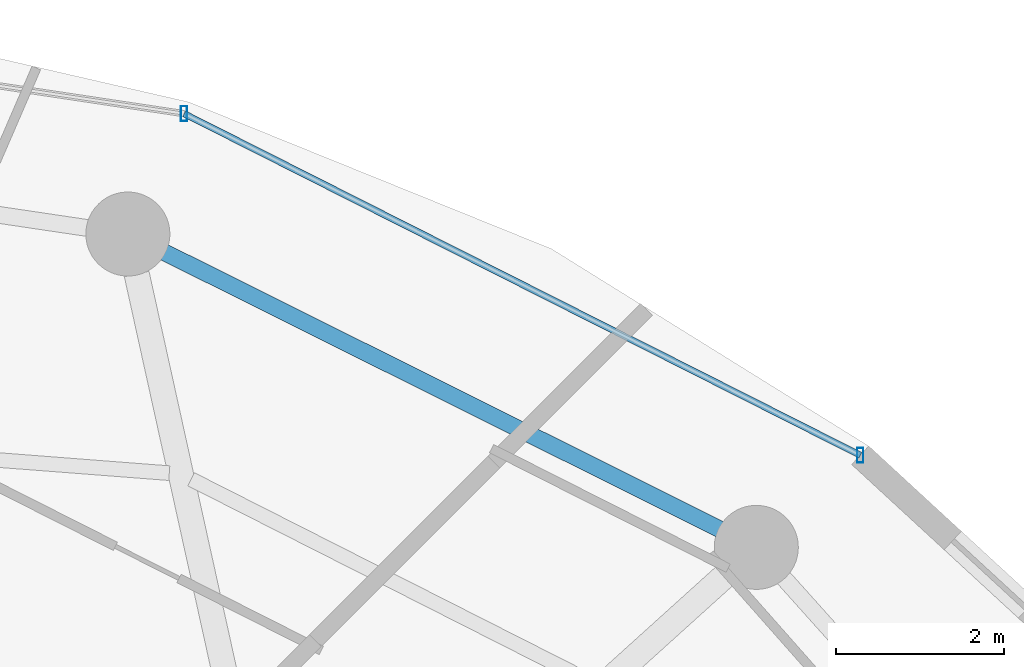
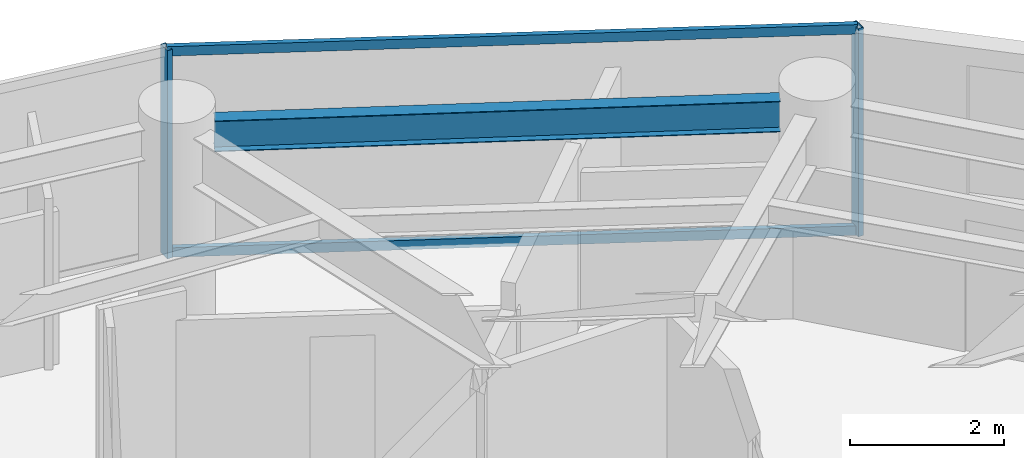
# One storey, part 20 of 31: 4 members, 1 beam, 1 element without a shape of its own.
"""IFC4 building model written with IfcOpenShell, lengths in metres."""

import ifcopenshell
import ifcopenshell.guid

model = None  # the IFC model being written
_history = None  # IfcOwnerHistory: only IFC2X3 demands one
_inside = {}  # id of a spatial element -> (the spatial element, [elements in it])
_under = {}  # id of a project, library or spatial element -> (it, [spatial elements below it])
_declared = {}  # id of a project -> (the project, [libraries it declares])
_typed = {}  # id of a type object -> (the type object, [elements of that type])
_made_of = {}  # id of a material, layer set ... -> (it, [elements and type objects made of it])


def new_model(schema):
    """Start an empty IFC model of exactly this schema.

    Asked for "IFC4X3", IfcOpenShell would pick the latest addendum, in which some entities
    have other attributes; the version numbers below select the first issue.
    IFC2X3 requires an IfcOwnerHistory on every rooted entity: one is made here for all.
    """
    global model, _history
    if schema == "IFC4X3":
        model = ifcopenshell.file(schema_version=(4, 3, 0, 0))
    else:
        model = ifcopenshell.file(schema=schema)
    _inside.clear()
    _under.clear()
    _declared.clear()
    _typed.clear()
    _made_of.clear()
    _history = None
    if model.schema == "IFC2X3":
        org = make("IfcOrganization", Name="unknown")
        user = make(
            "IfcPersonAndOrganization",
            ThePerson=make("IfcPerson", FamilyName="unknown"),
            TheOrganization=org,
        )
        app = make(
            "IfcApplication",
            ApplicationDeveloper=org,
            Version="unknown",
            ApplicationFullName="unknown",
            ApplicationIdentifier="unknown",
        )
        _history = make(
            "IfcOwnerHistory",
            OwningUser=user,
            OwningApplication=app,
            ChangeAction="ADDED",
            CreationDate=0,
        )
    return model


def make(cls, **values):
    """One entity of the class cls with the attributes given. An attribute that is None is left unset."""
    return model.create_entity(
        cls, **{name: value for name, value in values.items() if value is not None}
    )


def rooted(cls, **values):
    """An entity with a GlobalId (a new one), such as an element, a storey or a relation."""
    return make(cls, GlobalId=ifcopenshell.guid.new(), OwnerHistory=_history, **values)


def si_unit(unit_type, name, prefix=None):
    """IfcSIUnit, for example si_unit("LENGTHUNIT", "METRE", prefix="MILLI")."""
    return make("IfcSIUnit", UnitType=unit_type, Prefix=prefix, Name=name)


def assignment(units):
    """IfcUnitAssignment: the units of a project."""
    return None if units is None else make("IfcUnitAssignment", Units=units)


def point(xyz):
    """IfcCartesianPoint."""
    return None if xyz is None else make("IfcCartesianPoint", Coordinates=xyz)


def direction(xyz):
    """IfcDirection."""
    return None if xyz is None else make("IfcDirection", DirectionRatios=xyz)


def frame(location, z_axis=None, x_axis=None):
    """IfcAxis2Placement3D, a coordinate frame: its origin and axes. An axis left out is left unset."""
    return make(
        "IfcAxis2Placement3D",
        Location=point(location),
        Axis=direction(z_axis),
        RefDirection=direction(x_axis),
    )


def frame_2d(location, x_axis=None):
    """IfcAxis2Placement2D, a coordinate frame in the plane: its origin and x axis."""
    return make(
        "IfcAxis2Placement2D", Location=point(location), RefDirection=direction(x_axis)
    )


def origin():
    """The frame at (0, 0, 0) with its axes left unset."""
    return frame((0.0, 0.0, 0.0))


def origin_2d():
    """The frame at (0, 0) in the plane with its x axis left unset."""
    return frame_2d((0.0, 0.0))


def place(relative_to, where):
    """IfcLocalPlacement: puts the frame where relative to a parent placement (None: the world)."""
    return make(
        "IfcLocalPlacement", PlacementRelTo=relative_to, RelativePlacement=where
    )


def context(
    kind, dimensions, precision=None, world=None, true_north=None, identifier=None
):
    """IfcGeometricRepresentationContext, for example the 3D "Model" context."""
    return make(
        "IfcGeometricRepresentationContext",
        ContextIdentifier=identifier,
        ContextType=kind,
        CoordinateSpaceDimension=dimensions,
        Precision=precision,
        WorldCoordinateSystem=world,
        TrueNorth=true_north,
    )


def subcontext(parent, identifier, kind, view, scale=None):
    """IfcGeometricRepresentationSubContext, for example "Body" below "Model"."""
    return make(
        "IfcGeometricRepresentationSubContext",
        ContextIdentifier=identifier,
        ContextType=kind,
        ParentContext=parent,
        TargetScale=scale,
        TargetView=view,
    )


def project(units=None, contexts=None):
    """IfcProject with its units and contexts."""
    return rooted(
        "IfcProject",
        Name="project",
        RepresentationContexts=contexts,
        UnitsInContext=assignment(units),
    )


def spatial(cls, under=None, at=None, **own):
    """A site, building, storey or space (cls), placed at a placement, below another one or the project."""
    s = rooted(cls, ObjectPlacement=at, **own)
    if under is not None:
        _under.setdefault(under.id(), (under, []))[1].append(s)
    return s


def profile(cls, at=None, kind="AREA", **sizes):
    """A parametric profile (cls). Its sizes go by their IFC names, for example OverallWidth=200.0."""
    return make(cls, ProfileType=kind, Position=at, **sizes)


def hollow_rectangle(**sizes):
    """IfcRectangleHollowProfileDef."""
    return profile("IfcRectangleHollowProfileDef", **sizes)


def i_section(**sizes):
    """IfcIShapeProfileDef."""
    return profile("IfcIShapeProfileDef", **sizes)


def extrude(swept, where, along, depth):
    """IfcExtrudedAreaSolid: the profile swept, set in the frame where, extruded along a direction by depth."""
    return make(
        "IfcExtrudedAreaSolid",
        SweptArea=swept,
        Position=where,
        ExtrudedDirection=direction(along),
        Depth=depth,
    )


def shape(context_of_items, identifier, shape_type, items):
    """IfcShapeRepresentation: the items that make up one representation, for example the "Body"."""
    return make(
        "IfcShapeRepresentation",
        ContextOfItems=context_of_items,
        RepresentationIdentifier=identifier,
        RepresentationType=shape_type,
        Items=items,
    )


def material(Name=None, Category=None):
    """IfcMaterial."""
    return make("IfcMaterial", Name=Name, Category=Category)


def material_profile(
    of_material, cross_section, Name=None, Category=None, Priority=None
):
    """IfcMaterialProfile: a cross section and its material."""
    return make(
        "IfcMaterialProfile",
        Name=Name,
        Material=of_material,
        Profile=cross_section,
        Priority=Priority,
        Category=Category,
    )


def profile_set(profiles, Name=None, composite=None):
    """IfcMaterialProfileSet."""
    return make(
        "IfcMaterialProfileSet",
        Name=Name,
        MaterialProfiles=profiles,
        CompositeProfile=composite,
    )


def made_of(thing, what):
    """Note that an element or type object is made of a material, layer set ...; save() writes the relation."""
    if what is not None:
        _made_of.setdefault(what.id(), (what, []))[1].append(thing)
    return thing


def type_object(cls, material=None, **own):
    """A type object (cls), such as IfcWallType, which elements share."""
    return made_of(rooted(cls, **own), material)


def element(
    cls,
    number,
    at=None,
    inside=None,
    cuts=None,
    type_object=None,
    material=None,
    context=None,
    identifier="Body",
    shape_type=None,
    held_by="IfcProductDefinitionShape",
    body=None,
    shapes=None,
    **own,
):
    """One element of the class cls, such as IfcWall. Its Tag is "e" and its number.

    at: its placement. inside: the storey or other place that contains it. cuts: it is an
    opening in that element (IfcRelVoidsElement). A single representation is given by context,
    identifier, shape_type and body (its items); several are given by shapes. held_by: the class
    of the entity that holds the representations. save() writes the other relations.
    """
    e = rooted(cls, Tag="e%d" % number, ObjectPlacement=at, **own)
    if body is not None:
        shapes = [shape(context, identifier, shape_type, body)]
    if shapes is not None:
        e.Representation = make(held_by, Representations=shapes)
    if inside is not None:
        _inside.setdefault(inside.id(), (inside, []))[1].append(e)
    if cuts is not None:
        rooted(
            "IfcRelVoidsElement", RelatingBuildingElement=cuts, RelatedOpeningElement=e
        )
    if type_object is not None:
        _typed.setdefault(type_object.id(), (type_object, []))[1].append(e)
    return made_of(e, material)


def aggregate(whole, parts):
    """IfcRelAggregates: a whole, such as a stair, and the parts it consists of."""
    return rooted("IfcRelAggregates", RelatingObject=whole, RelatedObjects=parts)


def save(model, path):
    """Write the relations noted so far, then the file.

    IfcRelAggregates (storeys below a building ...), IfcRelContainedInSpatialStructure (elements
    in a storey), IfcRelDefinesByType, IfcRelAssociatesMaterial and IfcRelDeclares: one each for
    every whole, place, type object, material and project.
    """
    for whole, parts in _under.values():
        aggregate(whole, parts)
    for where, things in _inside.values():
        rooted(
            "IfcRelContainedInSpatialStructure",
            RelatedElements=things,
            RelatingStructure=where,
        )
    for kind, things in _typed.values():
        rooted("IfcRelDefinesByType", RelatedObjects=things, RelatingType=kind)
    for what, things in _made_of.values():
        rooted("IfcRelAssociatesMaterial", RelatedObjects=things, RelatingMaterial=what)
    for by, libraries in _declared.values():
        rooted("IfcRelDeclares", RelatingContext=by, RelatedDefinitions=libraries)
    model.write(path)


model = new_model("IFC4")

# Units and contexts
model_context = context("Model", 3, precision=1e-05, world=origin(), true_north=direction((0.0, 1.0)))
body_context = subcontext(model_context, "Body", "Model", "MODEL_VIEW")
ifc_project = project(units=[si_unit("LENGTHUNIT", "METRE"), si_unit("AREAUNIT", "SQUARE_METRE"), si_unit("VOLUMEUNIT", "CUBIC_METRE"), si_unit("PLANEANGLEUNIT", "RADIAN"), si_unit("MASSUNIT", "GRAM", prefix="KILO")], contexts=[model_context])

# Site, building, storey
site_placement = place(None, origin())
site = spatial("IfcSite", under=ifc_project, at=site_placement, CompositionType="ELEMENT")
building_placement = place(site_placement, origin())
building = spatial("IfcBuilding", under=site, at=building_placement, Name="Vorneva Point Tower", CompositionType="ELEMENT")
storey_placement = place(building_placement, frame((0.0, 0.0, 136.10009765625)))
storey = spatial("IfcBuildingStorey", under=building, at=storey_placement, Name="L36", CompositionType="ELEMENT", Elevation=136.10009765625)

# Beam
ifc_material_1 = material(Name="Steel S355", Category="steel")
ifc_material_profile_1 = material_profile(ifc_material_1, i_section(OverallWidth=0.199951171875, OverallDepth=0.491943359375, WebThickness=0.0087890625, FlangeThickness=0.011962890625, at=origin_2d()), Name="50B1")
ifc_profile_set_1 = profile_set([ifc_material_profile_1], Name="Steel S355")
beam_type = type_object("IfcBeamType", Name="BM-SPN-50B1", PredefinedType="SPANDREL", material=ifc_profile_set_1)
beam_placement = place(storey_placement, frame((53.86474609375, 38.378662109375, 2.993896484375), z_axis=(-0.894929061397, 0.446208443518, 0.0), x_axis=(-0.446208443518, -0.894929061397, 0.0)))
element("IfcBeam", 1, at=beam_placement, inside=storey, type_object=beam_type, Name="L36 Perimeter Spandrel Ring Beam 03", PredefinedType="SPANDREL", context=body_context, shape_type="SweptSolid", body=[
    extrude(i_section(OverallWidth=0.199951171875, OverallDepth=0.491943359375, WebThickness=0.0087890625, FlangeThickness=0.011962890625, at=origin_2d()), origin(), (0.0, 0.0, 1.0), 7.385986328125),
])

# Curtain wall, members
ifc_material_2 = material(Name="Pale anodised aluminium", Category="aluminium")
curtain_wall_type = type_object("IfcCurtainWallType", Name="CW-RES-SYS", PredefinedType="NOTDEFINED", material=ifc_material_2)
curtain_wall_placement = place(storey_placement, origin())
curtain_wall = element("IfcCurtainWall", 2, at=curtain_wall_placement, inside=storey, type_object=curtain_wall_type, Name="L36 Unitised Curtain Wall CW-L36-R02", PredefinedType="NOTDEFINED")
ifc_material_profile_2 = material_profile(ifc_material_2, hollow_rectangle(XDim=0.074951171875, YDim=0.179931640625, WallThickness=0.00390625, at=origin_2d()), Name="AL-MUL 180x75x4")
ifc_profile_set_2 = profile_set([ifc_material_profile_2], Name="Pale anodised aluminium")
member_type_1 = type_object("IfcMemberType", Name="CW-MUL-180", PredefinedType="MULLION", material=ifc_profile_set_2)
member_1_placement = place(storey_placement, frame((55.5361328125, 39.25830078125, -0.0400390625), z_axis=(0.0, 0.0, 1.0), x_axis=(1.0, 0.0, 0.0)))
member_1 = element("IfcMember", 3, at=member_1_placement, type_object=member_type_1, Name="CW-L36-R02 Mullion 01", PredefinedType="MULLION", context=body_context, shape_type="SweptSolid", body=[
    extrude(hollow_rectangle(XDim=0.074951171875, YDim=0.179931640625, WallThickness=0.00390625, at=origin_2d()), origin(), (0.0, 0.0, 1.0), 3.31005859375),
])
member_2_placement = place(storey_placement, frame((47.490478515625, 43.32275390625, -0.0400390625), z_axis=(0.0, 0.0, 1.0), x_axis=(1.0, 0.0, 0.0)))
member_2 = element("IfcMember", 4, at=member_2_placement, type_object=member_type_1, Name="CW-L36-R02 Mullion 02", PredefinedType="MULLION", context=body_context, shape_type="SweptSolid", body=[
    extrude(hollow_rectangle(XDim=0.074951171875, YDim=0.179931640625, WallThickness=0.00390625, at=origin_2d()), origin(), (0.0, 0.0, 1.0), 3.31005859375),
])
ifc_material_profile_3 = material_profile(ifc_material_2, hollow_rectangle(XDim=0.074951171875, YDim=0.14990234375, WallThickness=0.00390625, at=origin_2d()), Name="AL-TRN 150x75x4")
ifc_profile_set_3 = profile_set([ifc_material_profile_3], Name="Pale anodised aluminium")
member_type_2 = type_object("IfcMemberType", Name="CW-TRN-150", PredefinedType="USERDEFINED", material=ifc_profile_set_3)
member_3_placement = place(storey_placement, frame((55.5361328125, 39.25830078125, 0.02001953125), z_axis=(-0.892572392955, 0.450904117673, 0.0), x_axis=(-0.450904117673, -0.892572392955, 0.0)))
member_3 = element("IfcMember", 5, at=member_3_placement, type_object=member_type_2, Name="CW-L36-R02 Transom 01.1", ObjectType="TRANSOM", PredefinedType="USERDEFINED", context=body_context, shape_type="SweptSolid", body=[
    extrude(hollow_rectangle(XDim=0.074951171875, YDim=0.14990234375, WallThickness=0.00390625, at=origin_2d()), origin(), (0.0, 0.0, 1.0), 9.013916015625),
])
member_4_placement = place(storey_placement, frame((55.5361328125, 39.25830078125, 3.219970703125), z_axis=(-0.892572392955, 0.450904117673, 0.0), x_axis=(-0.450904117673, -0.892572392955, 0.0)))
member_4 = element("IfcMember", 6, at=member_4_placement, type_object=member_type_2, Name="CW-L36-R02 Transom 01.2", ObjectType="TRANSOM", PredefinedType="USERDEFINED", context=body_context, shape_type="SweptSolid", body=[
    extrude(hollow_rectangle(XDim=0.074951171875, YDim=0.14990234375, WallThickness=0.00390625, at=origin_2d()), origin(), (0.0, 0.0, 1.0), 9.013916015625),
])
aggregate(curtain_wall, [member_1, member_2, member_3, member_4])

save(model, "model.ifc")
